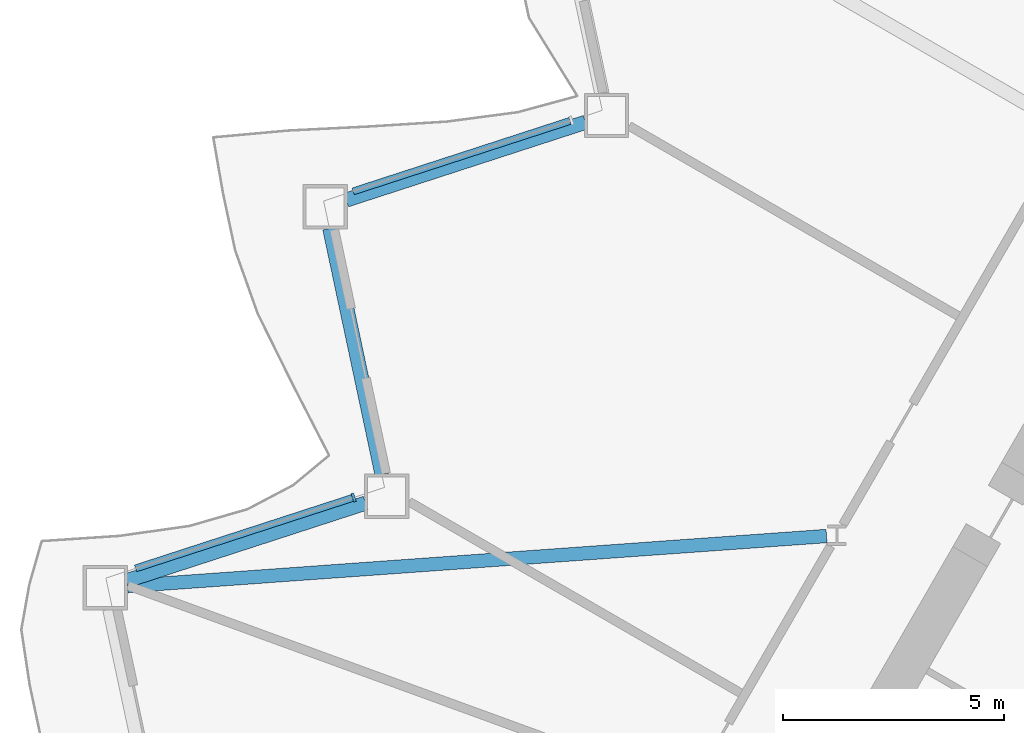
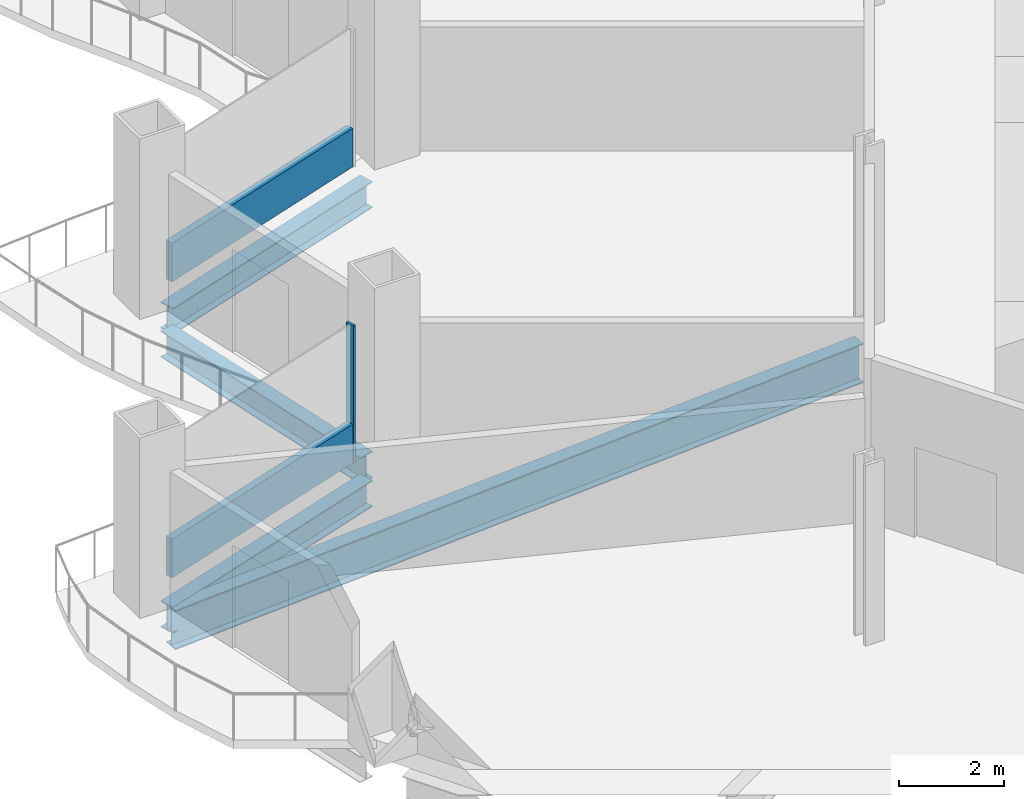
# One storey, part 3 of 21: 4 beams, 3 members, 2 elements without a shape of their own.
"""IFC4 building model written with IfcOpenShell, lengths in metres."""

from ifc_helpers import new_model, si_unit, direction, frame, origin, origin_2d, place, context, subcontext, project, spatial, rectangle, i_section, extrude, material, layer, layer_set, material_profile, profile_set, type_object, element, aggregate, save


model = new_model("IFC4")

# Units and contexts
model_context = context("Model", 3, precision=1e-05, world=origin(), true_north=direction((0.0, 1.0)))
body_context = subcontext(model_context, "Body", "Model", "MODEL_VIEW")
ifc_project = project(units=[si_unit("LENGTHUNIT", "METRE"), si_unit("AREAUNIT", "SQUARE_METRE"), si_unit("VOLUMEUNIT", "CUBIC_METRE"), si_unit("PLANEANGLEUNIT", "RADIAN"), si_unit("MASSUNIT", "GRAM", prefix="KILO")], contexts=[model_context])

# Site, building, storey
site_placement = place(None, origin())
site = spatial("IfcSite", under=ifc_project, at=site_placement, CompositionType="ELEMENT")
building_placement = place(site_placement, origin())
building = spatial("IfcBuilding", under=site, at=building_placement, Name="Cormorant Prow Tower", CompositionType="ELEMENT")
storey_placement = place(building_placement, frame((0.0, 0.0, 72.0)))
storey = spatial("IfcBuildingStorey", under=building, at=storey_placement, Name="L15", CompositionType="ELEMENT", Elevation=72.0)

# Curtain wall, member
ifc_material_1 = material(Name="Aluminium 6063-T6", Category="aluminium")
ifc_layer = layer(ifc_material_1, 0.199951171875)
ifc_layer_set = layer_set([ifc_layer], Name="Aluminium 6063-T6")
curtain_wall_type = type_object("IfcCurtainWallType", Name="Office unitised curtain wall 200", PredefinedType="NOTDEFINED", material=ifc_layer_set)
curtain_wall_1_placement = place(storey_placement, origin())
curtain_wall_1 = element("IfcCurtainWall", 1, at=curtain_wall_1_placement, inside=storey, type_object=curtain_wall_type, Name="Office curtain wall WNW08", PredefinedType="NOTDEFINED")
ifc_material_2 = material(Name="Aluminium 6063-T6", Category="aluminium")
ifc_material_profile_1 = material_profile(ifc_material_2, rectangle(XDim=0.199951171875, YDim=0.06005859375, at=origin_2d()), Name="Office mullion 60x200")
ifc_profile_set_1 = profile_set([ifc_material_profile_1], Name="Aluminium 6063-T6")
member_type_1 = type_object("IfcMemberType", Name="Office mullion 60x200", PredefinedType="MULLION", material=ifc_profile_set_1)
member_1_placement = place(storey_placement, frame((-26.780029296875, -2.20068359375, 0.0), z_axis=(0.0, 0.0, 1.0), x_axis=(0.309016946636, -0.951056531806, 0.0)))
member_1 = element("IfcMember", 2, at=member_1_placement, type_object=member_type_1, Name="Office mullion WNW08", PredefinedType="MULLION", context=body_context, shape_type="SweptSolid", body=[
    extrude(rectangle(XDim=0.199951171875, YDim=0.06005859375, at=origin_2d()), origin(), (0.0, 0.0, 1.0), 3.18896484375),
])

curtain_wall_2_placement = place(storey_placement, origin())
curtain_wall_2 = element("IfcCurtainWall", 3, at=curtain_wall_2_placement, inside=storey, type_object=curtain_wall_type, Name="Office curtain wall WNW06", PredefinedType="NOTDEFINED")
ifc_material_3 = material(Name="Terracotta", Category="masonry")
ifc_material_profile_2 = material_profile(ifc_material_3, rectangle(XDim=0.159912109375, YDim=0.89990234375, at=origin_2d()), Name="Office terracotta spandrel rail 160x900")
ifc_profile_set_2 = profile_set([ifc_material_profile_2], Name="Terracotta")
member_type_2 = type_object("IfcMemberType", Name="Office terracotta spandrel rail 160x900", PredefinedType="USERDEFINED", material=ifc_profile_set_2)
member_2_placement = place(storey_placement, frame((-21.8916015625, 6.306640625, 0.449951171875), z_axis=(-0.951059146206, -0.309008900225, 0.0), x_axis=(0.309008900225, -0.951059146206, 0.0)))
member_2 = element("IfcMember", 4, at=member_2_placement, type_object=member_type_2, Name="Office spandrel rail WNW06", ObjectType="TRANSOM", PredefinedType="USERDEFINED", context=body_context, shape_type="SweptSolid", body=[
    extrude(rectangle(XDim=0.159912109375, YDim=0.89990234375, at=origin_2d()), origin(), (0.0, 0.0, 1.0), 5.150390625),
])
aggregate(curtain_wall_2, [member_2])

# Member
member_3_placement = place(storey_placement, frame((-26.80859375, -2.2099609375, 0.449951171875), z_axis=(-0.951059146206, -0.309008900225, 0.0), x_axis=(0.309008900225, -0.951059146206, 0.0)))
member_3 = element("IfcMember", 5, at=member_3_placement, type_object=member_type_2, Name="Office spandrel rail WNW08", ObjectType="TRANSOM", PredefinedType="USERDEFINED", context=body_context, shape_type="SweptSolid", body=[
    extrude(rectangle(XDim=0.159912109375, YDim=0.89990234375, at=origin_2d()), origin(), (0.0, 0.0, 1.0), 5.150390625),
])

aggregate(curtain_wall_1, [member_1, member_3])

# Beams
ifc_material_4 = material(Name="Structural steel ASTM A992 Gr 50", Category="steel")
ifc_material_profile_3 = material_profile(ifc_material_4, i_section(OverallWidth=0.3046875, OverallDepth=0.914794921875, WebThickness=0.0166015625, FlangeThickness=0.02587890625, at=origin_2d()), Name="W36x160")
ifc_profile_set_3 = profile_set([ifc_material_profile_3], Name="Structural steel ASTM A992 Gr 50")
beam_type_1 = type_object("IfcBeamType", Name="Radial floor beam W36x160", PredefinedType="BEAM", material=ifc_profile_set_3)
beam_1_placement = place(storey_placement, frame((-16.099365234375, -3.0703125, -0.857421875), z_axis=(-0.997443412532, -0.071460750045, 0.0), x_axis=(0.071460750045, -0.997443412532, 0.0)))
element("IfcBeam", 6, at=beam_1_placement, inside=storey, type_object=beam_type_1, Name="Radial floor beam FB1 4 L15", PredefinedType="BEAM", context=body_context, shape_type="SweptSolid", body=[
    extrude(i_section(OverallWidth=0.3046875, OverallDepth=0.914794921875, WebThickness=0.0166015625, FlangeThickness=0.02587890625, at=origin_2d()), origin(), (0.0, 0.0, 1.0), 15.831787109375),
])
ifc_material_5 = material(Name="Structural steel ASTM A992 Gr 50", Category="steel")
ifc_material_profile_4 = material_profile(ifc_material_5, i_section(OverallWidth=0.32373046875, OverallDepth=0.611083984375, WebThickness=0.0126953125, FlangeThickness=0.01904296875, at=origin_2d()), Name="W24x104")
ifc_profile_set_4 = profile_set([ifc_material_profile_4], Name="Structural steel ASTM A992 Gr 50")
beam_type_2 = type_object("IfcBeamType", Name="Spandrel beam W24x104", PredefinedType="SPANDREL", material=ifc_profile_set_4)
beam_2_placement = place(storey_placement, frame((-21.54345703125, 6.274658203125, -0.70556640625), z_axis=(-0.951061849722, -0.309000579292, 0.0), x_axis=(0.309000579292, -0.951061849722, 0.0)))
element("IfcBeam", 7, at=beam_2_placement, inside=storey, type_object=beam_type_2, Name="Spandrel beam SB1 WNW06-WNW07 L15", PredefinedType="SPANDREL", context=body_context, shape_type="SweptSolid", body=[
    extrude(i_section(OverallWidth=0.32373046875, OverallDepth=0.611083984375, WebThickness=0.0126953125, FlangeThickness=0.01904296875, at=origin_2d()), origin(), (0.0, 0.0, 1.0), 5.682373046875),
])
beam_3_placement = place(storey_placement, frame((-27.3193359375, 3.875244140625, -0.70556640625), z_axis=(0.207900376723, -0.97815000555, 0.0), x_axis=(0.97815000555, 0.207900376723, 0.0)))
element("IfcBeam", 8, at=beam_3_placement, inside=storey, type_object=beam_type_2, Name="Spandrel beam SB1 WNW07-WNW08 L15", PredefinedType="SPANDREL", context=body_context, shape_type="SweptSolid", body=[
    extrude(i_section(OverallWidth=0.32373046875, OverallDepth=0.611083984375, WebThickness=0.0126953125, FlangeThickness=0.01904296875, at=origin_2d()), origin(), (0.0, 0.0, 1.0), 5.6826171875),
])
beam_4_placement = place(storey_placement, frame((-26.509521484375, -2.32666015625, -0.70556640625), z_axis=(-0.951049222751, -0.309039440696, 0.0), x_axis=(0.309039440696, -0.951049222751, 0.0)))
element("IfcBeam", 9, at=beam_4_placement, inside=storey, type_object=beam_type_2, Name="Spandrel beam SB1 WNW08-WNW09 L15", PredefinedType="SPANDREL", context=body_context, shape_type="SweptSolid", body=[
    extrude(i_section(OverallWidth=0.32373046875, OverallDepth=0.611083984375, WebThickness=0.0126953125, FlangeThickness=0.01904296875, at=origin_2d()), origin(), (0.0, 0.0, 1.0), 5.682373046875),
])

save(model, "model.ifc")
